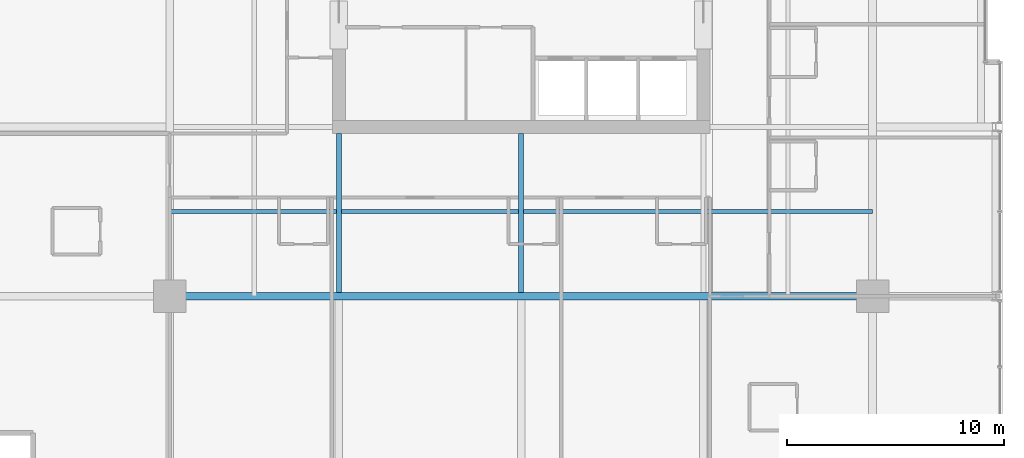
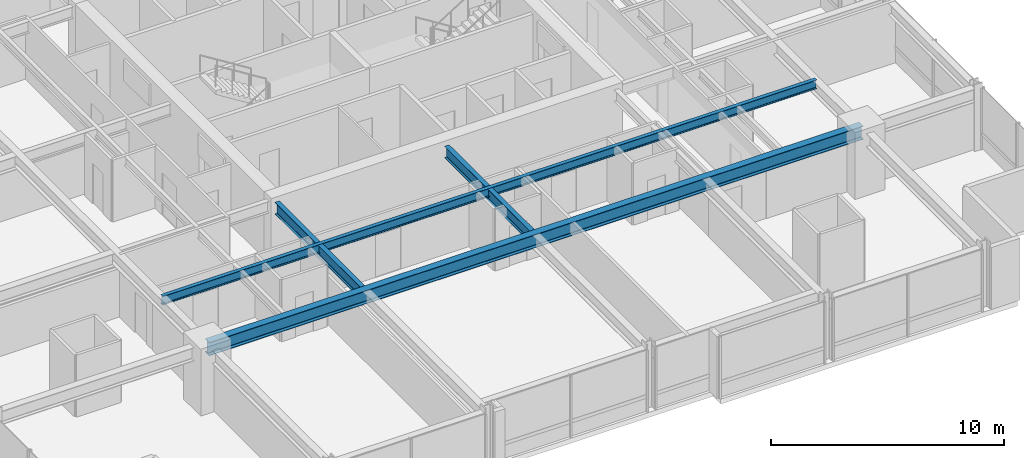
# One storey, part 6 of 34: 4 beams.
"""IFC4 building model written with IfcOpenShell, lengths in metres."""

import ifcopenshell
import ifcopenshell.guid

model = None  # the IFC model being written
_history = None  # IfcOwnerHistory: only IFC2X3 demands one
_inside = {}  # id of a spatial element -> (the spatial element, [elements in it])
_under = {}  # id of a project, library or spatial element -> (it, [spatial elements below it])
_declared = {}  # id of a project -> (the project, [libraries it declares])
_typed = {}  # id of a type object -> (the type object, [elements of that type])
_made_of = {}  # id of a material, layer set ... -> (it, [elements and type objects made of it])


def new_model(schema):
    """Start an empty IFC model of exactly this schema.

    Asked for "IFC4X3", IfcOpenShell would pick the latest addendum, in which some entities
    have other attributes; the version numbers below select the first issue.
    IFC2X3 requires an IfcOwnerHistory on every rooted entity: one is made here for all.
    """
    global model, _history
    if schema == "IFC4X3":
        model = ifcopenshell.file(schema_version=(4, 3, 0, 0))
    else:
        model = ifcopenshell.file(schema=schema)
    _inside.clear()
    _under.clear()
    _declared.clear()
    _typed.clear()
    _made_of.clear()
    _history = None
    if model.schema == "IFC2X3":
        org = make("IfcOrganization", Name="unknown")
        user = make(
            "IfcPersonAndOrganization",
            ThePerson=make("IfcPerson", FamilyName="unknown"),
            TheOrganization=org,
        )
        app = make(
            "IfcApplication",
            ApplicationDeveloper=org,
            Version="unknown",
            ApplicationFullName="unknown",
            ApplicationIdentifier="unknown",
        )
        _history = make(
            "IfcOwnerHistory",
            OwningUser=user,
            OwningApplication=app,
            ChangeAction="ADDED",
            CreationDate=0,
        )
    return model


def make(cls, **values):
    """One entity of the class cls with the attributes given. An attribute that is None is left unset."""
    return model.create_entity(
        cls, **{name: value for name, value in values.items() if value is not None}
    )


def rooted(cls, **values):
    """An entity with a GlobalId (a new one), such as an element, a storey or a relation."""
    return make(cls, GlobalId=ifcopenshell.guid.new(), OwnerHistory=_history, **values)


def si_unit(unit_type, name, prefix=None):
    """IfcSIUnit, for example si_unit("LENGTHUNIT", "METRE", prefix="MILLI")."""
    return make("IfcSIUnit", UnitType=unit_type, Prefix=prefix, Name=name)


def assignment(units):
    """IfcUnitAssignment: the units of a project."""
    return None if units is None else make("IfcUnitAssignment", Units=units)


def point(xyz):
    """IfcCartesianPoint."""
    return None if xyz is None else make("IfcCartesianPoint", Coordinates=xyz)


def direction(xyz):
    """IfcDirection."""
    return None if xyz is None else make("IfcDirection", DirectionRatios=xyz)


def frame(location, z_axis=None, x_axis=None):
    """IfcAxis2Placement3D, a coordinate frame: its origin and axes. An axis left out is left unset."""
    return make(
        "IfcAxis2Placement3D",
        Location=point(location),
        Axis=direction(z_axis),
        RefDirection=direction(x_axis),
    )


def frame_2d(location, x_axis=None):
    """IfcAxis2Placement2D, a coordinate frame in the plane: its origin and x axis."""
    return make(
        "IfcAxis2Placement2D", Location=point(location), RefDirection=direction(x_axis)
    )


def origin():
    """The frame at (0, 0, 0) with its axes left unset."""
    return frame((0.0, 0.0, 0.0))


def origin_2d():
    """The frame at (0, 0) in the plane with its x axis left unset."""
    return frame_2d((0.0, 0.0))


def place(relative_to, where):
    """IfcLocalPlacement: puts the frame where relative to a parent placement (None: the world)."""
    return make(
        "IfcLocalPlacement", PlacementRelTo=relative_to, RelativePlacement=where
    )


def context(
    kind, dimensions, precision=None, world=None, true_north=None, identifier=None
):
    """IfcGeometricRepresentationContext, for example the 3D "Model" context."""
    return make(
        "IfcGeometricRepresentationContext",
        ContextIdentifier=identifier,
        ContextType=kind,
        CoordinateSpaceDimension=dimensions,
        Precision=precision,
        WorldCoordinateSystem=world,
        TrueNorth=true_north,
    )


def subcontext(parent, identifier, kind, view, scale=None):
    """IfcGeometricRepresentationSubContext, for example "Body" below "Model"."""
    return make(
        "IfcGeometricRepresentationSubContext",
        ContextIdentifier=identifier,
        ContextType=kind,
        ParentContext=parent,
        TargetScale=scale,
        TargetView=view,
    )


def project(units=None, contexts=None):
    """IfcProject with its units and contexts."""
    return rooted(
        "IfcProject",
        Name="project",
        RepresentationContexts=contexts,
        UnitsInContext=assignment(units),
    )


def spatial(cls, under=None, at=None, **own):
    """A site, building, storey or space (cls), placed at a placement, below another one or the project."""
    s = rooted(cls, ObjectPlacement=at, **own)
    if under is not None:
        _under.setdefault(under.id(), (under, []))[1].append(s)
    return s


def profile(cls, at=None, kind="AREA", **sizes):
    """A parametric profile (cls). Its sizes go by their IFC names, for example OverallWidth=200.0."""
    return make(cls, ProfileType=kind, Position=at, **sizes)


def i_section(**sizes):
    """IfcIShapeProfileDef."""
    return profile("IfcIShapeProfileDef", **sizes)


def extrude(swept, where, along, depth):
    """IfcExtrudedAreaSolid: the profile swept, set in the frame where, extruded along a direction by depth."""
    return make(
        "IfcExtrudedAreaSolid",
        SweptArea=swept,
        Position=where,
        ExtrudedDirection=direction(along),
        Depth=depth,
    )


def shape(context_of_items, identifier, shape_type, items):
    """IfcShapeRepresentation: the items that make up one representation, for example the "Body"."""
    return make(
        "IfcShapeRepresentation",
        ContextOfItems=context_of_items,
        RepresentationIdentifier=identifier,
        RepresentationType=shape_type,
        Items=items,
    )


def material(Name=None, Category=None):
    """IfcMaterial."""
    return make("IfcMaterial", Name=Name, Category=Category)


def material_profile(
    of_material, cross_section, Name=None, Category=None, Priority=None
):
    """IfcMaterialProfile: a cross section and its material."""
    return make(
        "IfcMaterialProfile",
        Name=Name,
        Material=of_material,
        Profile=cross_section,
        Priority=Priority,
        Category=Category,
    )


def profile_set(profiles, Name=None, composite=None):
    """IfcMaterialProfileSet."""
    return make(
        "IfcMaterialProfileSet",
        Name=Name,
        MaterialProfiles=profiles,
        CompositeProfile=composite,
    )


def made_of(thing, what):
    """Note that an element or type object is made of a material, layer set ...; save() writes the relation."""
    if what is not None:
        _made_of.setdefault(what.id(), (what, []))[1].append(thing)
    return thing


def type_object(cls, material=None, **own):
    """A type object (cls), such as IfcWallType, which elements share."""
    return made_of(rooted(cls, **own), material)


def element(
    cls,
    number,
    at=None,
    inside=None,
    cuts=None,
    type_object=None,
    material=None,
    context=None,
    identifier="Body",
    shape_type=None,
    held_by="IfcProductDefinitionShape",
    body=None,
    shapes=None,
    **own,
):
    """One element of the class cls, such as IfcWall. Its Tag is "e" and its number.

    at: its placement. inside: the storey or other place that contains it. cuts: it is an
    opening in that element (IfcRelVoidsElement). A single representation is given by context,
    identifier, shape_type and body (its items); several are given by shapes. held_by: the class
    of the entity that holds the representations. save() writes the other relations.
    """
    e = rooted(cls, Tag="e%d" % number, ObjectPlacement=at, **own)
    if body is not None:
        shapes = [shape(context, identifier, shape_type, body)]
    if shapes is not None:
        e.Representation = make(held_by, Representations=shapes)
    if inside is not None:
        _inside.setdefault(inside.id(), (inside, []))[1].append(e)
    if cuts is not None:
        rooted(
            "IfcRelVoidsElement", RelatingBuildingElement=cuts, RelatedOpeningElement=e
        )
    if type_object is not None:
        _typed.setdefault(type_object.id(), (type_object, []))[1].append(e)
    return made_of(e, material)


def aggregate(whole, parts):
    """IfcRelAggregates: a whole, such as a stair, and the parts it consists of."""
    return rooted("IfcRelAggregates", RelatingObject=whole, RelatedObjects=parts)


def save(model, path):
    """Write the relations noted so far, then the file.

    IfcRelAggregates (storeys below a building ...), IfcRelContainedInSpatialStructure (elements
    in a storey), IfcRelDefinesByType, IfcRelAssociatesMaterial and IfcRelDeclares: one each for
    every whole, place, type object, material and project.
    """
    for whole, parts in _under.values():
        aggregate(whole, parts)
    for where, things in _inside.values():
        rooted(
            "IfcRelContainedInSpatialStructure",
            RelatedElements=things,
            RelatingStructure=where,
        )
    for kind, things in _typed.values():
        rooted("IfcRelDefinesByType", RelatedObjects=things, RelatingType=kind)
    for what, things in _made_of.values():
        rooted("IfcRelAssociatesMaterial", RelatedObjects=things, RelatingMaterial=what)
    for by, libraries in _declared.values():
        rooted("IfcRelDeclares", RelatingContext=by, RelatedDefinitions=libraries)
    model.write(path)


model = new_model("IFC4")

# Units and contexts
model_context = context("Model", 3, precision=1e-05, world=origin(), true_north=direction((0.0, 1.0)))
body_context = subcontext(model_context, "Body", "Model", "MODEL_VIEW")
ifc_project = project(units=[si_unit("LENGTHUNIT", "METRE"), si_unit("AREAUNIT", "SQUARE_METRE"), si_unit("VOLUMEUNIT", "CUBIC_METRE"), si_unit("PLANEANGLEUNIT", "RADIAN"), si_unit("MASSUNIT", "GRAM", prefix="KILO")], contexts=[model_context])

# Site, building, storey
site_placement = place(None, origin())
site = spatial("IfcSite", under=ifc_project, at=site_placement, CompositionType="ELEMENT")
building_placement = place(site_placement, origin())
building = spatial("IfcBuilding", under=site, at=building_placement, Name="Drelvath Grand Hotel", CompositionType="ELEMENT")
storey_placement = place(building_placement, frame((0.0, 0.0, 126.800048828125)))
storey = spatial("IfcBuildingStorey", under=building, at=storey_placement, Name="L32", CompositionType="ELEMENT", Elevation=126.800048828125)

# Beams
ifc_material = material(Name="Steel ASTM A992 Gr 50", Category="steel")
ifc_material_profile_1 = material_profile(ifc_material, i_section(OverallWidth=0.19140625, OverallDepth=0.4599609375, WebThickness=0.010009765625, FlangeThickness=0.01611328125, FilletRadius=0.01611328125, at=origin_2d()), Name="W18X55")
ifc_profile_set_1 = profile_set([ifc_material_profile_1], Name="Steel ASTM A992 Gr 50")
beam_type_1 = type_object("IfcBeamType", Name="Composite Floor Joist W18X55", PredefinedType="JOIST", material=ifc_profile_set_1)
beam_1_placement = place(storey_placement, frame((-16.199951171875, 14.699951171875, 3.010009765625), z_axis=(1.0, 0.0, 0.0), x_axis=(0.0, 1.0, 0.0)))
element("IfcBeam", 1, at=beam_1_placement, inside=storey, type_object=beam_type_1, Name="L32 Floor Joist J1", PredefinedType="JOIST", context=body_context, shape_type="SweptSolid", body=[
    extrude(i_section(OverallWidth=0.19140625, OverallDepth=0.4599609375, WebThickness=0.010009765625, FlangeThickness=0.01611328125, FilletRadius=0.01611328125, at=origin_2d()), origin(), (0.0, 0.0, 1.0), 32.39990234375),
])
ifc_material_profile_2 = material_profile(ifc_material, i_section(OverallWidth=0.228271484375, OverallDepth=0.607666015625, WebThickness=0.01123046875, FlangeThickness=0.017333984375, FilletRadius=0.02001953125, at=origin_2d()), Name="W24X76")
ifc_profile_set_2 = profile_set([ifc_material_profile_2], Name="Steel ASTM A992 Gr 50")
beam_type_2 = type_object("IfcBeamType", Name="Primary Floor Girder W24X76", PredefinedType="BEAM", material=ifc_profile_set_2)
for number, where, z_axis, x_axis, name in (
    (2, (-8.39990234375, 10.977294921875, 2.93603515625), (0.0, 1.0, 0.0), (-1.0, 0.0, 0.0), "L32 South Core Tie 4"),
    (3, (0.0, 10.977294921875, 2.93603515625), (0.0, 1.0, 0.0), (-1.0, 0.0, 0.0), "L32 South Core Tie 5"),
):
    element("IfcBeam", number, at=place(storey_placement, frame(where, z_axis=z_axis, x_axis=x_axis)), inside=storey, type_object=beam_type_2, Name=name, PredefinedType="BEAM", context=body_context, shape_type="SweptSolid", body=[
        extrude(i_section(OverallWidth=0.228271484375, OverallDepth=0.607666015625, WebThickness=0.01123046875, FlangeThickness=0.017333984375, FilletRadius=0.02001953125, at=origin_2d()), origin(), (0.0, 0.0, 1.0), 7.32275390625),
    ])
ifc_material_profile_3 = material_profile(ifc_material, i_section(OverallWidth=0.354736328125, OverallDepth=0.695556640625, WebThickness=0.015380859375, FlangeThickness=0.025146484375, FilletRadius=0.02392578125, at=origin_2d()), Name="W27X146")
ifc_profile_set_3 = profile_set([ifc_material_profile_3], Name="Steel ASTM A992 Gr 50")
beam_type_3 = type_object("IfcBeamType", Name="Primary Floor Girder W27X146", PredefinedType="BEAM", material=ifc_profile_set_3)
beam_2_placement = place(storey_placement, frame((-16.199951171875, 10.800048828125, 2.892333984375), z_axis=(1.0, 0.0, 0.0), x_axis=(0.0, 1.0, 0.0)))
element("IfcBeam", 4, at=beam_2_placement, inside=storey, type_object=beam_type_3, Name="L32 Mega Ring Girder South", PredefinedType="BEAM", context=body_context, shape_type="SweptSolid", body=[
    extrude(i_section(OverallWidth=0.354736328125, OverallDepth=0.695556640625, WebThickness=0.015380859375, FlangeThickness=0.025146484375, FilletRadius=0.02392578125, at=origin_2d()), origin(), (0.0, 0.0, 1.0), 32.39990234375),
])

save(model, "model.ifc")
